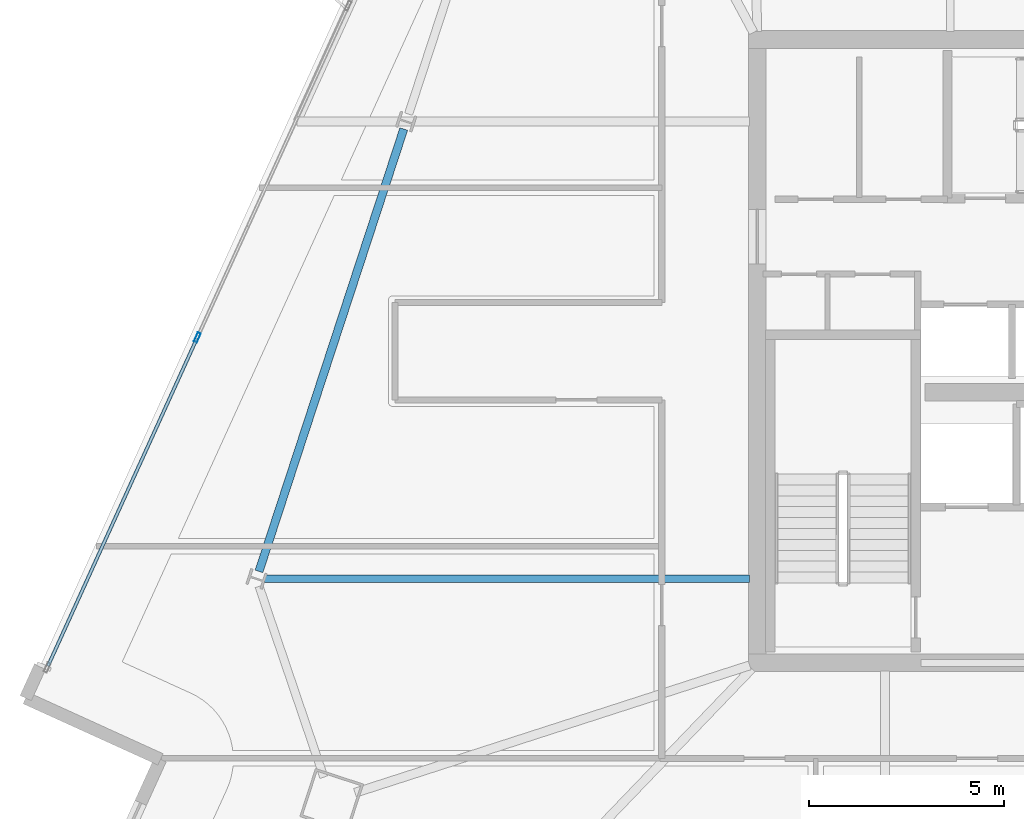
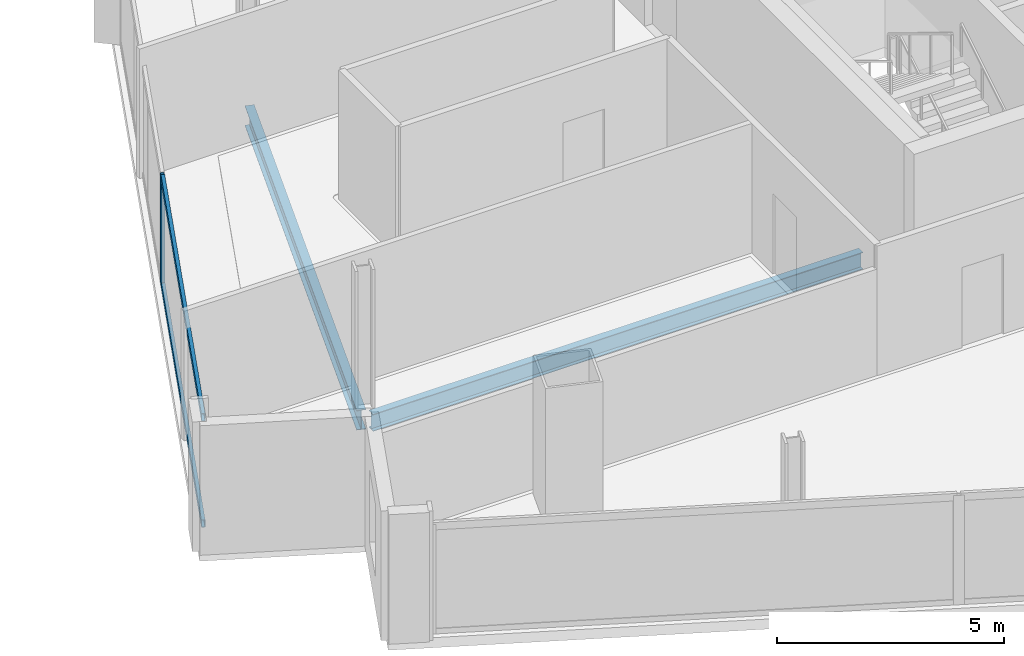
# One storey, part 6 of 26: 3 members, 2 beams, 1 element without a shape of its own.
"""IFC4 building model written with IfcOpenShell, lengths in metres."""

from ifc_helpers import new_model, si_unit, direction, frame, origin, origin_2d, place, context, subcontext, project, spatial, hollow_rectangle, i_section, extrude, material, material_profile, profile_set, type_object, element, aggregate, save


model = new_model("IFC4")

# Units and contexts
model_context = context("Model", 3, precision=1e-05, world=origin(), true_north=direction((0.0, 1.0)))
body_context = subcontext(model_context, "Body", "Model", "MODEL_VIEW")
ifc_project = project(units=[si_unit("LENGTHUNIT", "METRE"), si_unit("AREAUNIT", "SQUARE_METRE"), si_unit("VOLUMEUNIT", "CUBIC_METRE"), si_unit("PLANEANGLEUNIT", "RADIAN"), si_unit("MASSUNIT", "GRAM", prefix="KILO")], contexts=[model_context])

# Site, building, storey
site_placement = place(None, origin())
site = spatial("IfcSite", under=ifc_project, at=site_placement, CompositionType="ELEMENT")
building_placement = place(site_placement, origin())
building = spatial("IfcBuilding", under=site, at=building_placement, Name="Haldenkirk Collegiate Tower", CompositionType="ELEMENT")
storey_placement = place(building_placement, frame((0.0, 0.0, 248.699951171875)))
storey = spatial("IfcBuildingStorey", under=building, at=storey_placement, Name="L62", CompositionType="ELEMENT", Elevation=248.699951171875)

# Beams
ifc_material_1 = material(Name="Steel ASTM A992 Grade 50", Category="steel")
ifc_material_profile_1 = material_profile(ifc_material_1, i_section(OverallWidth=0.18994140625, OverallDepth=0.45703125, WebThickness=0.009033203125, FlangeThickness=0.014404296875, at=origin_2d()), Name="W18X50")
ifc_profile_set_1 = profile_set([ifc_material_profile_1], Name="Steel ASTM A992 Grade 50")
beam_type_1 = type_object("IfcBeamType", Name="BM-JOIST-W18X50", PredefinedType="JOIST", material=ifc_profile_set_1)
beam_1_placement = place(storey_placement, frame((14.35205078125, 20.157958984375, -0.49853515625), z_axis=(1.0, 0.0, 0.0), x_axis=(0.0, 1.0, 0.0)))
element("IfcBeam", 1, at=beam_1_placement, inside=storey, type_object=beam_type_1, Name="L62 composite floor joist 13", PredefinedType="JOIST", context=body_context, shape_type="SweptSolid", body=[
    extrude(i_section(OverallWidth=0.18994140625, OverallDepth=0.45703125, WebThickness=0.009033203125, FlangeThickness=0.014404296875, at=origin_2d()), origin(), (0.0, 0.0, 1.0), 12.44287109375),
])
ifc_material_profile_2 = material_profile(ifc_material_1, i_section(OverallWidth=0.2099609375, OverallDepth=0.537109375, WebThickness=0.010986328125, FlangeThickness=0.017333984375, at=origin_2d()), Name="W21X68")
ifc_profile_set_2 = profile_set([ifc_material_profile_2], Name="Steel ASTM A992 Grade 50")
beam_type_2 = type_object("IfcBeamType", Name="BM-SPANDREL-W21X68", PredefinedType="SPANDREL", material=ifc_profile_set_2)
beam_2_placement = place(storey_placement, frame((17.9267578125, 31.701171875, -0.538330078125), z_axis=(-0.311010188249, -0.950406577631, 0.0), x_axis=(0.950406577631, -0.311010188249, 0.0)))
element("IfcBeam", 2, at=beam_2_placement, inside=storey, type_object=beam_type_2, Name="L62 perimeter spandrel beam 11", PredefinedType="SPANDREL", context=body_context, shape_type="SweptSolid", body=[
    extrude(i_section(OverallWidth=0.2099609375, OverallDepth=0.537109375, WebThickness=0.010986328125, FlangeThickness=0.017333984375, at=origin_2d()), origin(), (0.0, 0.0, 1.0), 11.94287109375),
])

# Curtain wall, members
ifc_material_2 = material(Name="Anodised architectural bronze aluminium", Category="aluminium")
curtain_wall_type = type_object("IfcCurtainWallType", Name="CW-SYS1B-CONVEX-HI", PredefinedType="USERDEFINED", material=ifc_material_2)
curtain_wall_placement = place(storey_placement, origin())
curtain_wall = element("IfcCurtainWall", 3, at=curtain_wall_placement, inside=storey, type_object=curtain_wall_type, Name="L62 Upper tower high-wind convex bronze unitised curtain wall", ObjectType="UNITISED CURTAIN WALL", PredefinedType="USERDEFINED")
ifc_material_profile_3 = material_profile(ifc_material_2, hollow_rectangle(XDim=0.0849609375, YDim=0.25, WallThickness=0.0048828125, at=origin_2d()), Name="CW-MUL-1B")
ifc_profile_set_3 = profile_set([ifc_material_profile_3], Name="Anodised architectural bronze aluminium")
member_type_1 = type_object("IfcMemberType", Name="CW-MUL-1B", PredefinedType="MULLION", material=ifc_profile_set_3)
member_1_placement = place(storey_placement, frame((12.630859375, 26.354248046875, 0.0), z_axis=(0.0, 0.0, 1.0), x_axis=(-0.910322702591, 0.4138992355, 0.0)))
member_1 = element("IfcMember", 4, at=member_1_placement, type_object=member_type_1, Name="CW-1B mullion 2", PredefinedType="MULLION", context=body_context, shape_type="SweptSolid", body=[
    extrude(hollow_rectangle(XDim=0.0849609375, YDim=0.25, WallThickness=0.0048828125, at=origin_2d()), origin(), (0.0, 0.0, 1.0), 2.93798828125),
])
ifc_material_profile_4 = material_profile(ifc_material_2, hollow_rectangle(XDim=0.0849609375, YDim=0.199951171875, WallThickness=0.0048828125, at=origin_2d()), Name="CW-TRN-1B")
ifc_profile_set_4 = profile_set([ifc_material_profile_4], Name="Anodised architectural bronze aluminium")
member_type_2 = type_object("IfcMemberType", Name="CW-TRN-1B", PredefinedType="USERDEFINED", material=ifc_profile_set_4)
member_2_placement = place(storey_placement, frame((8.796142578125, 17.920166015625, 0.04248046875), z_axis=(0.413902668226, 0.910321141815, 0.0), x_axis=(-0.910321141815, 0.413902668226, 0.0)))
member_2 = element("IfcMember", 5, at=member_2_placement, type_object=member_type_2, Name="CW-1B transom 1.1", ObjectType="TRANSOM", PredefinedType="USERDEFINED", context=body_context, shape_type="SweptSolid", body=[
    extrude(hollow_rectangle(XDim=0.0849609375, YDim=0.199951171875, WallThickness=0.0048828125, at=origin_2d()), origin(), (0.0, 0.0, 1.0), 9.222412109375),
])
member_3_placement = place(storey_placement, frame((8.796142578125, 17.920166015625, 2.8955078125), z_axis=(0.413902668226, 0.910321141815, 0.0), x_axis=(-0.910321141815, 0.413902668226, 0.0)))
member_3 = element("IfcMember", 6, at=member_3_placement, type_object=member_type_2, Name="CW-1B transom 1.2", ObjectType="TRANSOM", PredefinedType="USERDEFINED", context=body_context, shape_type="SweptSolid", body=[
    extrude(hollow_rectangle(XDim=0.0849609375, YDim=0.199951171875, WallThickness=0.0048828125, at=origin_2d()), origin(), (0.0, 0.0, 1.0), 9.222412109375),
])
aggregate(curtain_wall, [member_1, member_2, member_3])

save(model, "model.ifc")
